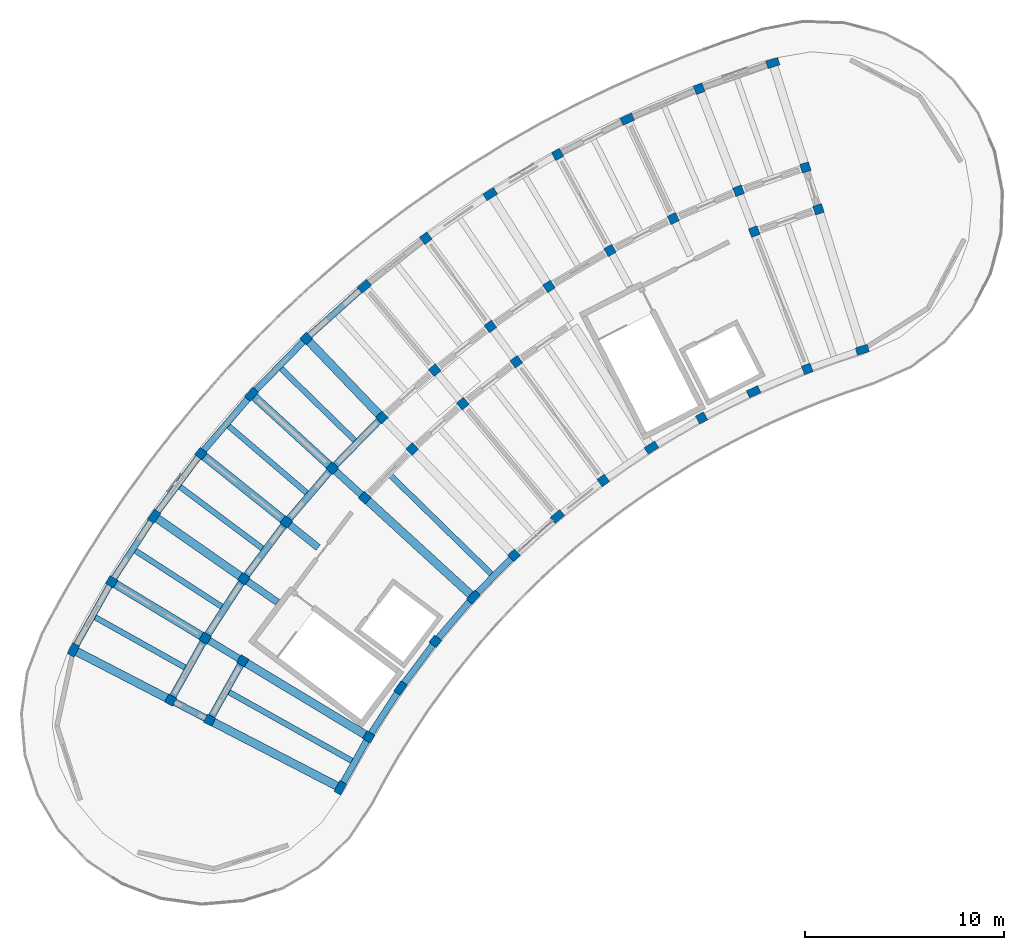
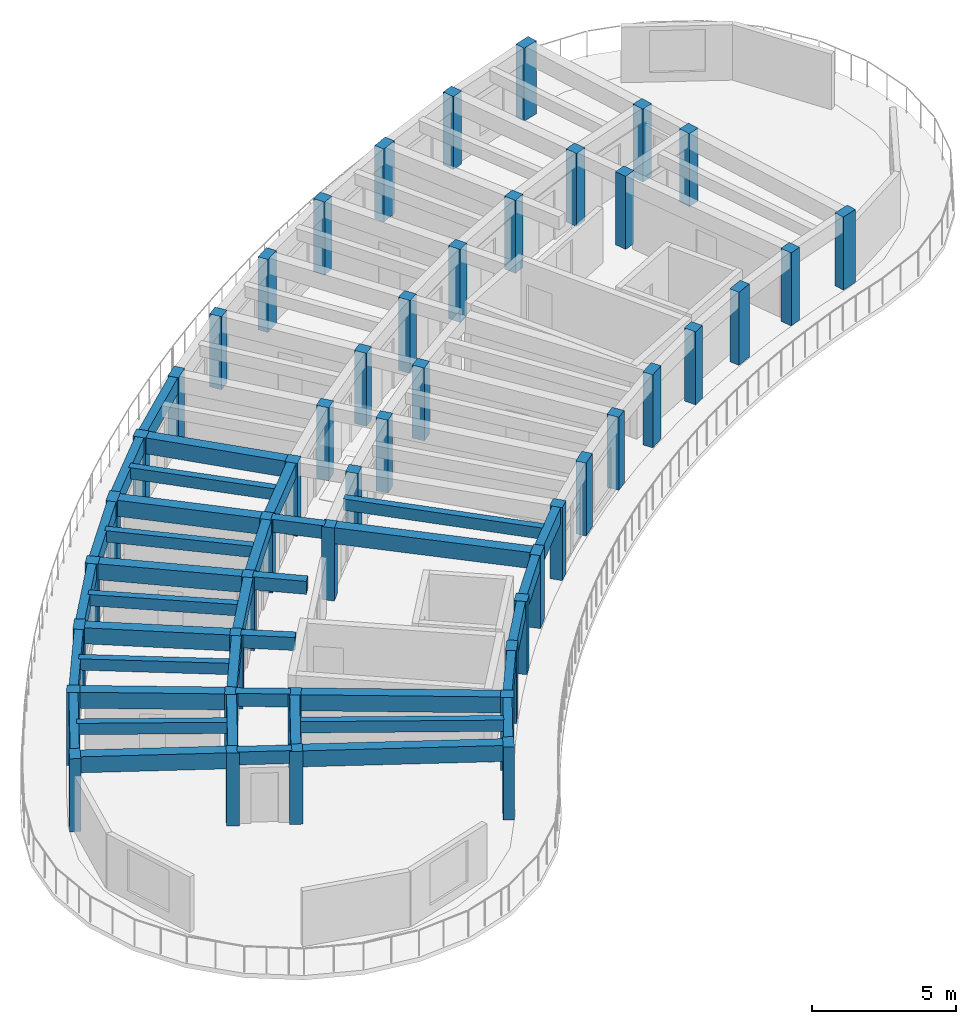
# One storey, part 1 of 9: 47 columns, 38 beams.
"""IFC4 building model written with IfcOpenShell, lengths in metres."""

from ifc_helpers import new_model, si_unit, direction, frame, origin, origin_2d, place, context, subcontext, project, spatial, rectangle, extrude, material, material_profile, profile_set, type_object, element, save


model = new_model("IFC4")

# Units and contexts
model_context = context("Model", 3, precision=1e-05, world=origin(), true_north=direction((0.0, 1.0)))
body_context = subcontext(model_context, "Body", "Model", "MODEL_VIEW")
ifc_project = project(units=[si_unit("LENGTHUNIT", "METRE"), si_unit("AREAUNIT", "SQUARE_METRE"), si_unit("VOLUMEUNIT", "CUBIC_METRE"), si_unit("PLANEANGLEUNIT", "RADIAN"), si_unit("MASSUNIT", "GRAM", prefix="KILO")], contexts=[model_context])

# Site, building, storey
site_placement = place(None, origin())
site = spatial("IfcSite", under=ifc_project, at=site_placement, CompositionType="ELEMENT")
building_placement = place(site_placement, origin())
building = spatial("IfcBuilding", under=site, at=building_placement, Name="Tanwirah Colonnade Gardens", CompositionType="ELEMENT")
storey_placement = place(building_placement, frame((0.0, 0.0, 49.159912109375)))
storey = spatial("IfcBuildingStorey", under=building, at=storey_placement, Name="L14", CompositionType="ELEMENT", Elevation=49.159912109375)

# Columns
ifc_material_1 = material(Name="Precast concrete C40/50", Category="concrete")
ifc_material_profile_1 = material_profile(ifc_material_1, rectangle(XDim=0.4599609375, YDim=0.4599609375, at=origin_2d()), Name="PC-COL 460x460")
ifc_profile_set_1 = profile_set([ifc_material_profile_1], Name="Precast concrete C40/50")
column_type_1 = type_object("IfcColumnType", Name="C-PC400", PredefinedType="COLUMN", material=ifc_profile_set_1)
for number, where, z_axis, x_axis, name in (
    (1, (49.55224609375, 109.6953125, 0.0), (0.0, 0.0, 1.0), (-0.297930292146, 0.954587628781, 0.0), "Block A L14 Column 3-R1"),
    (2, (48.89697265625, 111.79541015625, 0.0), (0.0, 0.0, 1.0), (-0.297930292146, 0.954587628781, 0.0), "Block A L14 Column 3-R2"),
    (3, (48.989990234375, 101.666748046875, 0.0), (0.0, 0.0, 1.0), (-0.360177739278, 0.932883699144, 0.0), "Block A L14 Column 4-R0"),
    (4, (46.32470703125, 108.570068359375, 0.0), (0.0, 0.0, 1.0), (-0.360177739278, 0.932883699144, 0.0), "Block A L14 Column 4-R1"),
    (5, (45.532470703125, 110.622314453125, 0.0), (0.0, 0.0, 1.0), (-0.360177739278, 0.932883699144, 0.0), "Block A L14 Column 4-R2"),
    (6, (43.551513671875, 115.753173828125, 0.0), (0.0, 0.0, 1.0), (-0.360177739278, 0.932883699144, 0.0), "Block A L14 Column 4-R3"),
    (7, (42.25244140625, 109.230224609375, 0.0), (0.0, 0.0, 1.0), (-0.420859924104, 0.907125638643, 0.0), "Block A L14 Column 5-R2"),
    (8, (43.6767578125, 99.20166015625, 0.0), (0.0, 0.0, 1.0), (-0.479713133669, 0.877425386791, 0.0), "Block A L14 Column 6-R0"),
    (9, (39.071533203125, 107.624755859375, 0.0), (0.0, 0.0, 1.0), (-0.479713133669, 0.877425386791, 0.0), "Block A L14 Column 6-R2"),
    (10, (36.43310546875, 112.45068359375, 0.0), (0.0, 0.0, 1.0), (-0.479713133669, 0.877425386791, 0.0), "Block A L14 Column 6-R3"),
    (11, (36.003173828125, 105.8134765625, 0.0), (0.0, 0.0, 1.0), (-0.536481603385, 0.843912015099, 0.0), "Block A L14 Column 7-R2"),
    (12, (38.733642578125, 96.05908203125, 0.0), (0.0, 0.0, 1.0), (-0.590918628541, 0.806731166153, 0.0), "Block A L14 Column 8-R0"),
    (13, (34.36083984375, 102.029052734375, 0.0), (0.0, 0.0, 1.0), (-0.590918628541, 0.806731166153, 0.0), "Block A L14 Column 8-R1"),
    (14, (33.060791015625, 103.8037109375, 0.0), (0.0, 0.0, 1.0), (-0.590918628541, 0.806731166153, 0.0), "Block A L14 Column 8-R2"),
    (15, (29.810791015625, 108.24072265625, 0.0), (0.0, 0.0, 1.0), (-0.590918628541, 0.806731166153, 0.0), "Block A L14 Column 8-R3"),
    (16, (31.67138671875, 99.91943359375, 0.0), (0.0, 0.0, 1.0), (-0.642787636427, 0.766044420681, 0.0), "Block A L14 Column 9-R1"),
    (17, (30.25732421875, 101.604736328125, 0.0), (0.0, 0.0, 1.0), (-0.642787636427, 0.766044420681, 0.0), "Block A L14 Column 9-R2"),
    (18, (34.24658203125, 92.294189453125, 0.0), (0.0, 0.0, 1.0), (-0.691863214436, 0.722028595355, 0.0), "Block A L14 Column 10-R0"),
    (19, (29.126953125, 97.63720703125, 0.0), (0.0, 0.0, 1.0), (-0.691863214436, 0.722028595355, 0.0), "Block A L14 Column 10-R1"),
    (20, (27.604736328125, 99.2255859375, 0.0), (0.0, 0.0, 1.0), (-0.691863214436, 0.722028595355, 0.0), "Block A L14 Column 10-R2"),
    (21, (23.799560546875, 103.19677734375, 0.0), (0.0, 0.0, 1.0), (-0.691863214436, 0.722028595355, 0.0), "Block A L14 Column 10-R3"),
    (22, (26.73828125, 95.1923828125, 0.0), (0.0, 0.0, 1.0), (-0.737932089665, 0.674874974378, 0.0), "Block A L14 Column 11-R1"),
    (23, (25.11474609375, 96.677001953125, 0.0), (0.0, 0.0, 1.0), (-0.737932089665, 0.674874974378, 0.0), "Block A L14 Column 11-R2"),
    (24, (30.293701171875, 87.971923828125, 0.0), (0.0, 0.0, 1.0), (-0.780794055756, 0.624788478204, 0.0), "Block A L14 Column 12-R0"),
    (25, (22.798095703125, 93.9697265625, 0.0), (0.0, 0.0, 1.0), (-0.780794055756, 0.624788478204, 0.0), "Block A L14 Column 12-R2"),
    (26, (18.503662109375, 97.40625, 0.0), (0.0, 0.0, 1.0), (-0.780794055756, 0.624788478204, 0.0), "Block A L14 Column 12-R3"),
    (27, (20.664794921875, 91.115966796875, 0.0), (0.0, 0.0, 1.0), (-0.82026284295, 0.57198677299, 0.0), "Block A L14 Column 13-R2"),
    (28, (26.943359375, 83.167236328125, 0.0), (0.0, 0.0, 1.0), (-0.856166927587, 0.516699324663, 0.0), "Block A L14 Column 14-R0"),
    (29, (20.607666015625, 86.990966796875, 0.0), (0.0, 0.0, 1.0), (-0.856166927587, 0.516699324663, 0.0), "Block A L14 Column 14-R1"),
    (30, (18.72412109375, 88.127685546875, 0.0), (0.0, 0.0, 1.0), (-0.856166927587, 0.516699324663, 0.0), "Block A L14 Column 14-R2"),
    (31, (14.015380859375, 90.969482421875, 0.0), (0.0, 0.0, 1.0), (-0.856166927587, 0.516699324663, 0.0), "Block A L14 Column 14-R3"),
    (32, (18.93896484375, 84.0078125, 0.0), (0.0, 0.0, 1.0), (-0.888350277506, 0.459166401705, 0.0), "Block A L14 Column 15-R1"),
    (33, (16.984619140625, 85.017822265625, 0.0), (0.0, 0.0, 1.0), (-0.888350277506, 0.459166401705, 0.0), "Block A L14 Column 15-R2"),
):
    element("IfcColumn", number, at=place(storey_placement, frame(where, z_axis=z_axis, x_axis=x_axis)), inside=storey, type_object=column_type_1, Name=name, PredefinedType="COLUMN", context=body_context, shape_type="SweptSolid", body=[
        extrude(rectangle(XDim=0.4599609375, YDim=0.4599609375, at=origin_2d()), origin(), (0.0, 0.0, 1.0), 3.10009765625),
    ])
ifc_material_profile_2 = material_profile(ifc_material_1, rectangle(XDim=0.389892578125, YDim=0.6298828125, at=origin_2d()), Name="PC-PIL 390x630")
ifc_profile_set_2 = profile_set([ifc_material_profile_2], Name="Precast concrete C40/50")
column_type_2 = type_object("IfcColumnType", Name="PIL-360", PredefinedType="PILASTER", material=ifc_profile_set_2)
for number, where, z_axis, x_axis, name in (
    (34, (51.757080078125, 102.63134765625, 0.0), (0.0, 0.0, 1.0), (-0.297930292146, 0.954587628781, 0.0), "Block A L14 Column 3-R0"),
    (35, (47.25830078125, 117.045654296875, 0.0), (0.0, 0.0, 1.0), (-0.297930292146, 0.954587628781, 0.0), "Block A L14 Column 3-R3"),
    (36, (46.292724609375, 100.521728515625, 0.0), (0.0, 0.0, 1.0), (-0.420859924104, 0.907125638643, 0.0), "Block A L14 Column 5-R0"),
    (37, (39.937744140625, 114.21923828125, 0.0), (0.0, 0.0, 1.0), (-0.420859924104, 0.907125638643, 0.0), "Block A L14 Column 5-R3"),
    (38, (41.1533203125, 97.7119140625, 0.0), (0.0, 0.0, 1.0), (-0.536481603385, 0.843912015099, 0.0), "Block A L14 Column 7-R0"),
    (39, (33.052490234375, 110.455078125, 0.0), (0.0, 0.0, 1.0), (-0.536481603385, 0.843912015099, 0.0), "Block A L14 Column 7-R3"),
    (40, (36.427978515625, 94.250732421875, 0.0), (0.0, 0.0, 1.0), (-0.642787636427, 0.766044420681, 0.0), "Block A L14 Column 9-R0"),
    (41, (26.721923828125, 105.81787109375, 0.0), (0.0, 0.0, 1.0), (-0.642787636427, 0.766044420681, 0.0), "Block A L14 Column 9-R3"),
    (42, (32.198974609375, 90.1982421875, 0.0), (0.0, 0.0, 1.0), (-0.737932089665, 0.674874974378, 0.0), "Block A L14 Column 11-R0"),
    (43, (21.05615234375, 100.388916015625, 0.0), (0.0, 0.0, 1.0), (-0.737932089665, 0.674874974378, 0.0), "Block A L14 Column 11-R3"),
    (44, (28.539306640625, 85.624755859375, 0.0), (0.0, 0.0, 1.0), (-0.82026284295, 0.57198677299, 0.0), "Block A L14 Column 13-R0"),
    (45, (16.1533203125, 94.26171875, 0.0), (0.0, 0.0, 1.0), (-0.82026284295, 0.57198677299, 0.0), "Block A L14 Column 13-R3"),
    (46, (25.512939453125, 80.60986328125, 0.0), (0.0, 0.0, 1.0), (-0.888350277506, 0.459166401705, 0.0), "Block A L14 Column 15-R0"),
    (47, (12.0986328125, 87.54345703125, 0.0), (0.0, 0.0, 1.0), (-0.888350277506, 0.459166401705, 0.0), "Block A L14 Column 15-R3"),
):
    element("IfcColumn", number, at=place(storey_placement, frame(where, z_axis=z_axis, x_axis=x_axis)), inside=storey, type_object=column_type_2, Name=name, PredefinedType="PILASTER", context=body_context, shape_type="SweptSolid", body=[
        extrude(rectangle(XDim=0.389892578125, YDim=0.6298828125, at=origin_2d()), origin(), (0.0, 0.0, 1.0), 3.10009765625),
    ])

# Beams
ifc_material_profile_3 = material_profile(ifc_material_1, rectangle(XDim=0.35009765625, YDim=0.550048828125, at=origin_2d()), Name="PC-BM 350x550")
ifc_profile_set_3 = profile_set([ifc_material_profile_3], Name="Precast concrete C40/50")
beam_type_1 = type_object("IfcBeamType", Name="BM-PC350A", PredefinedType="BEAM", material=ifc_profile_set_3)
for number, where, z_axis, x_axis, name in (
    (48, (26.62744140625, 95.29345703125, 2.8251953125), (-0.737948361517, 0.674857181732, 0.0), (-0.674857181732, -0.737948361517, 0.0), "Block A L14 Corridor Tie Beam 11"),
    (49, (24.398681640625, 92.68896484375, 2.8251953125), (-0.78073089418, 0.624867402633, 0.0), (-0.624867402633, -0.78073089418, 0.0), "Block A L14 Corridor Tie Beam 12"),
    (50, (22.346435546875, 89.943359375, 2.8251953125), (-0.820305001782, 0.571926309983, 0.0), (-0.571926309983, -0.820305001782, 0.0), "Block A L14 Corridor Tie Beam 13"),
    (51, (20.479248046875, 87.068359375, 2.8251953125), (-0.856174920318, 0.516686080534, 0.0), (-0.516686080534, -0.856174920318, 0.0), "Block A L14 Corridor Tie Beam 14"),
    (52, (18.8056640625, 84.07666015625, 2.8251953125), (-0.888358643941, 0.459150214784, 0.0), (-0.459150214784, -0.888358643941, 0.0), "Block A L14 Corridor Tie Beam 15"),
):
    element("IfcBeam", number, at=place(storey_placement, frame(where, z_axis=z_axis, x_axis=x_axis)), inside=storey, type_object=beam_type_1, Name=name, PredefinedType="BEAM", context=body_context, shape_type="SweptSolid", body=[
        extrude(rectangle(XDim=0.35009765625, YDim=0.550048828125, at=origin_2d()), origin(), (0.0, 0.0, 1.0), 1.89990234375),
    ])
ifc_material_profile_4 = material_profile(ifc_material_1, rectangle(XDim=0.35009765625, YDim=0.60009765625, at=origin_2d()), Name="PC-BM 350x600")
ifc_profile_set_4 = profile_set([ifc_material_profile_4], Name="Precast concrete C40/50")
beam_type_2 = type_object("IfcBeamType", Name="BM-PC350B", PredefinedType="BEAM", material=ifc_profile_set_4)
beam_1_placement = place(storey_placement, frame((27.5, 99.118408203125, 2.800048828125), z_axis=(-0.698829447339, -0.71528833594, 0.0), x_axis=(0.71528833594, -0.698829447339, 0.0)))
element("IfcBeam", 53, at=beam_1_placement, inside=storey, type_object=beam_type_2, Name="Block A L14 Circumferential Beam 10-R2", PredefinedType="BEAM", context=body_context, shape_type="SweptSolid", body=[
    extrude(rectangle(XDim=0.35009765625, YDim=0.60009765625, at=origin_2d()), origin(), (0.0, 0.0, 1.0), 3.263427734375),
])
beam_2_placement = place(storey_placement, frame((25.017333984375, 96.56298828125, 2.800048828125), z_axis=(-0.650218192342, -0.759747525398, 0.0), x_axis=(0.759747525398, -0.650218192342, 0.0)))
element("IfcBeam", 54, at=beam_2_placement, inside=storey, type_object=beam_type_2, Name="Block A L14 Circumferential Beam 11-R2", PredefinedType="BEAM", context=body_context, shape_type="SweptSolid", body=[
    extrude(rectangle(XDim=0.35009765625, YDim=0.60009765625, at=origin_2d()), origin(), (0.0, 0.0, 1.0), 3.26318359375),
])
for number, where, z_axis, x_axis, name in (
    (55, (22.708251953125, 93.849609375, 2.800048828125), (-0.59871829396, -0.800959677186, 0.0), (0.800959677186, -0.59871829396, 0.0), "Block A L14 Circumferential Beam 12-R2"),
    (56, (20.5830078125, 90.989990234375, 2.800048828125), (-0.544627998385, -0.838677735114, 0.0), (0.838677735114, -0.544627998385, 0.0), "Block A L14 Circumferential Beam 13-R2"),
):
    element("IfcBeam", number, at=place(storey_placement, frame(where, z_axis=z_axis, x_axis=x_axis)), inside=storey, type_object=beam_type_2, Name=name, PredefinedType="BEAM", context=body_context, shape_type="SweptSolid", body=[
        extrude(rectangle(XDim=0.35009765625, YDim=0.60009765625, at=origin_2d()), origin(), (0.0, 0.0, 1.0), 3.262939453125),
    ])
beam_3_placement = place(storey_placement, frame((20.534423828125, 86.85986328125, 2.800048828125), z_axis=(-0.488200372352, -0.872731571811, 0.0), x_axis=(0.872731571811, -0.488200372352, 0.0)))
element("IfcBeam", 57, at=beam_3_placement, inside=storey, type_object=beam_type_2, Name="Block A L14 Circumferential Beam 14-R1", PredefinedType="BEAM", context=body_context, shape_type="SweptSolid", body=[
    extrude(rectangle(XDim=0.35009765625, YDim=0.60009765625, at=origin_2d()), origin(), (0.0, 0.0, 1.0), 3.117919921875),
])
beam_4_placement = place(storey_placement, frame((18.65087890625, 87.99658203125, 2.800048828125), z_axis=(-0.488213717102, -0.87272410671, 0.0), x_axis=(0.87272410671, -0.488213717102, 0.0)))
element("IfcBeam", 58, at=beam_4_placement, inside=storey, type_object=beam_type_2, Name="Block A L14 Circumferential Beam 14-R2", PredefinedType="BEAM", context=body_context, shape_type="SweptSolid", body=[
    extrude(rectangle(XDim=0.35009765625, YDim=0.60009765625, at=origin_2d()), origin(), (0.0, 0.0, 1.0), 3.262939453125),
])
ifc_material_2 = material(Name="Precast concrete C45/55", Category="concrete")
ifc_material_profile_5 = material_profile(ifc_material_2, rectangle(XDim=0.419921875, YDim=0.679931640625, at=origin_2d()), Name="PC-BM 420x680")
ifc_profile_set_5 = profile_set([ifc_material_profile_5], Name="Precast concrete C45/55")
beam_type_3 = type_object("IfcBeamType", Name="BM-PC420", PredefinedType="BEAM", material=ifc_profile_set_5)
beam_5_placement = place(storey_placement, frame((27.5009765625, 99.333984375, 2.760009765625), z_axis=(-0.691874769894, 0.722017522491, 0.0), x_axis=(-0.722017522491, -0.691874769894, 0.0)))
element("IfcBeam", 59, at=beam_5_placement, inside=storey, type_object=beam_type_3, Name="Block A L14 Outer Radial Precast Girder 10", PredefinedType="BEAM", context=body_context, shape_type="SweptSolid", body=[
    extrude(rectangle(XDim=0.419921875, YDim=0.679931640625, at=origin_2d()), origin(), (0.0, 0.0, 1.0), 5.199951171875),
])
beam_6_placement = place(storey_placement, frame((26.848876953125, 95.091064453125, 2.760009765625), z_axis=(0.737918718777, -0.674889594288, 0.0), x_axis=(0.674889594288, 0.737918718777, 0.0)))
element("IfcBeam", 60, at=beam_6_placement, inside=storey, type_object=beam_type_3, Name="Block A L14 Inner Radial Precast Girder 11", PredefinedType="BEAM", context=body_context, shape_type="SweptSolid", body=[
    extrude(rectangle(XDim=0.419921875, YDim=0.679931640625, at=origin_2d()), origin(), (0.0, 0.0, 1.0), 7.10009765625),
])
for number, where, z_axis, x_axis, name in (
    (61, (25.004150390625, 96.7783203125, 2.760009765625), (-0.737952652624, 0.674852489427, 0.0), (-0.674852489427, -0.737952652624, 0.0), "Block A L14 Outer Radial Precast Girder 11"),
    (62, (22.680908203125, 94.0634765625, 2.760009765625), (-0.780777191444, 0.62480955284, 0.0), (-0.62480955284, -0.780777191444, 0.0), "Block A L14 Outer Radial Precast Girder 12"),
    (63, (20.541748046875, 91.20166015625, 2.760009765625), (-0.82026065953, 0.57198990413, 0.0), (-0.57198990413, -0.82026065953, 0.0), "Block A L14 Outer Radial Precast Girder 13"),
):
    element("IfcBeam", number, at=place(storey_placement, frame(where, z_axis=z_axis, x_axis=x_axis)), inside=storey, type_object=beam_type_3, Name=name, PredefinedType="BEAM", context=body_context, shape_type="SweptSolid", body=[
        extrude(rectangle(XDim=0.419921875, YDim=0.679931640625, at=origin_2d()), origin(), (0.0, 0.0, 1.0), 5.199951171875),
    ])
beam_7_placement = place(storey_placement, frame((20.736083984375, 86.913330078125, 2.760009765625), z_axis=(0.856176383701, -0.516683655628, 0.0), x_axis=(0.516683655628, 0.856176383701, 0.0)))
element("IfcBeam", 64, at=beam_7_placement, inside=storey, type_object=beam_type_3, Name="Block A L14 Inner Radial Precast Girder 14", PredefinedType="BEAM", context=body_context, shape_type="SweptSolid", body=[
    extrude(rectangle(XDim=0.419921875, YDim=0.679931640625, at=origin_2d()), origin(), (0.0, 0.0, 1.0), 7.10009765625),
])
beam_8_placement = place(storey_placement, frame((18.595703125, 88.205078125, 2.760009765625), z_axis=(-0.856164383855, 0.516703539584, 0.0), x_axis=(-0.516703539584, -0.856164383855, 0.0)))
element("IfcBeam", 65, at=beam_8_placement, inside=storey, type_object=beam_type_3, Name="Block A L14 Outer Radial Precast Girder 14", PredefinedType="BEAM", context=body_context, shape_type="SweptSolid", body=[
    extrude(rectangle(XDim=0.419921875, YDim=0.679931640625, at=origin_2d()), origin(), (0.0, 0.0, 1.0), 5.19970703125),
])
beam_9_placement = place(storey_placement, frame((19.072265625, 83.93896484375, 2.760009765625), z_axis=(0.888342925962, -0.459180624475, 0.0), x_axis=(0.459180624475, 0.888342925962, 0.0)))
element("IfcBeam", 66, at=beam_9_placement, inside=storey, type_object=beam_type_3, Name="Block A L14 Inner Radial Precast Girder 15", PredefinedType="BEAM", context=body_context, shape_type="SweptSolid", body=[
    extrude(rectangle(XDim=0.419921875, YDim=0.679931640625, at=origin_2d()), origin(), (0.0, 0.0, 1.0), 7.10009765625),
])
beam_10_placement = place(storey_placement, frame((16.851318359375, 85.0869140625, 2.760009765625), z_axis=(-0.888365586169, 0.459136782789, 0.0), x_axis=(-0.459136782789, -0.888365586169, 0.0)))
element("IfcBeam", 67, at=beam_10_placement, inside=storey, type_object=beam_type_3, Name="Block A L14 Outer Radial Precast Girder 15", PredefinedType="BEAM", context=body_context, shape_type="SweptSolid", body=[
    extrude(rectangle(XDim=0.419921875, YDim=0.679931640625, at=origin_2d()), origin(), (0.0, 0.0, 1.0), 5.199951171875),
])
ifc_material_profile_6 = material_profile(ifc_material_1, rectangle(XDim=0.280029296875, YDim=0.47998046875, at=origin_2d()), Name="PC-JST 280x480")
ifc_profile_set_6 = profile_set([ifc_material_profile_6], Name="Precast concrete C40/50")
beam_type_4 = type_object("IfcBeamType", Name="JST-PC280", PredefinedType="JOIST", material=ifc_profile_set_6)
beam_11_placement = place(storey_placement, frame((26.2529296875, 98.0556640625, 2.860107421875), z_axis=(-0.715297399369, 0.698820170327, 0.0), x_axis=(-0.698820170327, -0.715297399369, 0.0)))
element("IfcBeam", 68, at=beam_11_placement, inside=storey, type_object=beam_type_4, Name="Block A L14 Precast Floor Joist 10", PredefinedType="JOIST", context=body_context, shape_type="SweptSolid", body=[
    extrude(rectangle(XDim=0.280029296875, YDim=0.47998046875, at=origin_2d()), origin(), (0.0, 0.0, 1.0), 5.260009765625),
])
beam_12_placement = place(storey_placement, frame((33.11962890625, 91.346923828125, 2.860107421875), z_axis=(-0.715276680509, 0.698841377081, 0.0), x_axis=(-0.698841377081, -0.715276680509, 0.0)))
element("IfcBeam", 69, at=beam_12_placement, inside=storey, type_object=beam_type_4, Name="Block A L14 Inner Precast Floor Joist 10", PredefinedType="JOIST", context=body_context, shape_type="SweptSolid", body=[
    extrude(rectangle(XDim=0.280029296875, YDim=0.47998046875, at=origin_2d()), origin(), (0.0, 0.0, 1.0), 7.159912109375),
])
beam_13_placement = place(storey_placement, frame((23.843017578125, 95.42041015625, 2.860107421875), z_axis=(-0.759770723643, 0.65019108537, 0.0), x_axis=(-0.65019108537, -0.759770723643, 0.0)))
element("IfcBeam", 70, at=beam_13_placement, inside=storey, type_object=beam_type_4, Name="Block A L14 Precast Floor Joist 11", PredefinedType="JOIST", context=body_context, shape_type="SweptSolid", body=[
    extrude(rectangle(XDim=0.280029296875, YDim=0.47998046875, at=origin_2d()), origin(), (0.0, 0.0, 1.0), 5.26025390625),
])
beam_14_placement = place(storey_placement, frame((21.61181640625, 92.63232421875, 2.860107421875), z_axis=(-0.800973647215, 0.598699604533, 0.0), x_axis=(-0.598699604533, -0.800973647215, 0.0)))
element("IfcBeam", 71, at=beam_14_placement, inside=storey, type_object=beam_type_4, Name="Block A L14 Precast Floor Joist 12", PredefinedType="JOIST", context=body_context, shape_type="SweptSolid", body=[
    extrude(rectangle(XDim=0.280029296875, YDim=0.47998046875, at=origin_2d()), origin(), (0.0, 0.0, 1.0), 5.260009765625),
])
beam_15_placement = place(storey_placement, frame((19.5693359375, 89.703125, 2.860107421875), z_axis=(-0.83868742622, 0.544613074669, 0.0), x_axis=(-0.544613074669, -0.83868742622, 0.0)))
element("IfcBeam", 72, at=beam_15_placement, inside=storey, type_object=beam_type_4, Name="Block A L14 Precast Floor Joist 13", PredefinedType="JOIST", context=body_context, shape_type="SweptSolid", body=[
    extrude(rectangle(XDim=0.280029296875, YDim=0.47998046875, at=origin_2d()), origin(), (0.0, 0.0, 1.0), 5.26025390625),
])
beam_16_placement = place(storey_placement, frame((17.72412109375, 86.645751953125, 2.860107421875), z_axis=(-0.872737031138, 0.488190612855, 0.0), x_axis=(-0.488190612855, -0.872737031138, 0.0)))
element("IfcBeam", 73, at=beam_16_placement, inside=storey, type_object=beam_type_4, Name="Block A L14 Precast Floor Joist 14", PredefinedType="JOIST", context=body_context, shape_type="SweptSolid", body=[
    extrude(rectangle(XDim=0.280029296875, YDim=0.47998046875, at=origin_2d()), origin(), (0.0, 0.0, 1.0), 5.260009765625),
])
beam_17_placement = place(storey_placement, frame((26.102294921875, 81.958984375, 2.860107421875), z_axis=(-0.872726875563, 0.488208767506, 0.0), x_axis=(-0.488208767506, -0.872726875563, 0.0)))
element("IfcBeam", 74, at=beam_17_placement, inside=storey, type_object=beam_type_4, Name="Block A L14 Inner Precast Floor Joist 14", PredefinedType="JOIST", context=body_context, shape_type="SweptSolid", body=[
    extrude(rectangle(XDim=0.280029296875, YDim=0.47998046875, at=origin_2d()), origin(), (0.0, 0.0, 1.0), 7.16015625),
])
ifc_material_profile_7 = material_profile(ifc_material_2, rectangle(XDim=0.320068359375, YDim=0.679931640625, at=origin_2d()), Name="PC-SP 320x680")
ifc_profile_set_7 = profile_set([ifc_material_profile_7], Name="Precast concrete C45/55")
beam_type_5 = type_object("IfcBeamType", Name="SP-PC320", PredefinedType="SPANDREL", material=ifc_profile_set_7)
beam_18_placement = place(storey_placement, frame((26.6103515625, 105.7177734375, 2.760009765625), z_axis=(-0.744444790955, -0.667684021989, 0.0), x_axis=(0.667684021989, -0.744444790955, 0.0)))
element("IfcBeam", 75, at=beam_18_placement, inside=storey, type_object=beam_type_5, Name="Block A L14 Circumferential Beam 9-R3", PredefinedType="SPANDREL", context=body_context, shape_type="SweptSolid", body=[
    extrude(rectangle(XDim=0.320068359375, YDim=0.679931640625, at=origin_2d()), origin(), (0.0, 0.0, 1.0), 3.625732421875),
])
beam_19_placement = place(storey_placement, frame((34.141845703125, 92.186767578125, 2.760009765625), z_axis=(-0.698844462704, -0.715273665772, 0.0), x_axis=(0.715273665772, -0.698844462704, 0.0)))
element("IfcBeam", 76, at=beam_19_placement, inside=storey, type_object=beam_type_5, Name="Block A L14 Circumferential Beam 10-R0", PredefinedType="SPANDREL", context=body_context, shape_type="SweptSolid", body=[
    extrude(rectangle(XDim=0.320068359375, YDim=0.679931640625, at=origin_2d()), origin(), (0.0, 0.0, 1.0), 2.630126953125),
])
beam_20_placement = place(storey_placement, frame((23.69482421875, 103.089599609375, 2.760009765625), z_axis=(-0.698844493997, -0.715273635199, 0.0), x_axis=(0.715273635199, -0.698844493997, 0.0)))
element("IfcBeam", 77, at=beam_20_placement, inside=storey, type_object=beam_type_5, Name="Block A L14 Circumferential Beam 10-R3", PredefinedType="SPANDREL", context=body_context, shape_type="SweptSolid", body=[
    extrude(rectangle(XDim=0.320068359375, YDim=0.679931640625, at=origin_2d()), origin(), (0.0, 0.0, 1.0), 3.6259765625),
])
beam_21_placement = place(storey_placement, frame((32.101318359375, 90.084228515625, 2.760009765625), z_axis=(-0.650172023628, -0.759787035749, 0.0), x_axis=(0.759787035749, -0.650172023628, 0.0)))
element("IfcBeam", 78, at=beam_21_placement, inside=storey, type_object=beam_type_5, Name="Block A L14 Circumferential Beam 11-R0", PredefinedType="SPANDREL", context=body_context, shape_type="SweptSolid", body=[
    extrude(rectangle(XDim=0.320068359375, YDim=0.679931640625, at=origin_2d()), origin(), (0.0, 0.0, 1.0), 2.63037109375),
])
beam_22_placement = place(storey_placement, frame((20.95849609375, 100.27490234375, 2.760009765625), z_axis=(-0.65013123267, -0.75982193987, 0.0), x_axis=(0.75982193987, -0.65013123267, 0.0)))
element("IfcBeam", 79, at=beam_22_placement, inside=storey, type_object=beam_type_5, Name="Block A L14 Circumferential Beam 11-R3", PredefinedType="SPANDREL", context=body_context, shape_type="SweptSolid", body=[
    extrude(rectangle(XDim=0.320068359375, YDim=0.679931640625, at=origin_2d()), origin(), (0.0, 0.0, 1.0), 3.625732421875),
])
beam_23_placement = place(storey_placement, frame((30.203857421875, 87.851806640625, 2.760009765625), z_axis=(-0.598662613551, -0.80100129534, 0.0), x_axis=(0.80100129534, -0.598662613551, 0.0)))
element("IfcBeam", 80, at=beam_23_placement, inside=storey, type_object=beam_type_5, Name="Block A L14 Circumferential Beam 12-R0", PredefinedType="SPANDREL", context=body_context, shape_type="SweptSolid", body=[
    extrude(rectangle(XDim=0.320068359375, YDim=0.679931640625, at=origin_2d()), origin(), (0.0, 0.0, 1.0), 2.63037109375),
])
beam_24_placement = place(storey_placement, frame((18.413818359375, 97.285888671875, 2.760009765625), z_axis=(-0.598695554058, -0.800976674786, 0.0), x_axis=(0.800976674786, -0.598695554058, 0.0)))
element("IfcBeam", 81, at=beam_24_placement, inside=storey, type_object=beam_type_5, Name="Block A L14 Circumferential Beam 12-R3", PredefinedType="SPANDREL", context=body_context, shape_type="SweptSolid", body=[
    extrude(rectangle(XDim=0.320068359375, YDim=0.679931640625, at=origin_2d()), origin(), (0.0, 0.0, 1.0), 3.625732421875),
])
beam_25_placement = place(storey_placement, frame((28.45751953125, 85.4990234375, 2.760009765625), z_axis=(-0.544570677829, -0.838714955661, 0.0), x_axis=(0.838714955661, -0.544570677829, 0.0)))
element("IfcBeam", 82, at=beam_25_placement, inside=storey, type_object=beam_type_5, Name="Block A L14 Circumferential Beam 13-R0", PredefinedType="SPANDREL", context=body_context, shape_type="SweptSolid", body=[
    extrude(rectangle(XDim=0.320068359375, YDim=0.679931640625, at=origin_2d()), origin(), (0.0, 0.0, 1.0), 2.63037109375),
])
beam_26_placement = place(storey_placement, frame((16.071533203125, 94.135986328125, 2.760009765625), z_axis=(-0.544621436184, -0.838681996497, 0.0), x_axis=(0.838681996497, -0.544621436184, 0.0)))
element("IfcBeam", 83, at=beam_26_placement, inside=storey, type_object=beam_type_5, Name="Block A L14 Circumferential Beam 13-R3", PredefinedType="SPANDREL", context=body_context, shape_type="SweptSolid", body=[
    extrude(rectangle(XDim=0.320068359375, YDim=0.679931640625, at=origin_2d()), origin(), (0.0, 0.0, 1.0), 3.625732421875),
])
beam_27_placement = place(storey_placement, frame((26.8701171875, 83.036376953125, 2.760009765625), z_axis=(-0.488170837957, -0.872748092503, 0.0), x_axis=(0.872748092503, -0.488170837957, 0.0)))
element("IfcBeam", 84, at=beam_27_placement, inside=storey, type_object=beam_type_5, Name="Block A L14 Circumferential Beam 14-R0", PredefinedType="SPANDREL", context=body_context, shape_type="SweptSolid", body=[
    extrude(rectangle(XDim=0.320068359375, YDim=0.679931640625, at=origin_2d()), origin(), (0.0, 0.0, 1.0), 2.630126953125),
])
beam_28_placement = place(storey_placement, frame((13.942138671875, 90.838623046875, 2.760009765625), z_axis=(-0.488236312193, -0.872711466326, 0.0), x_axis=(0.872711466326, -0.488236312193, 0.0)))
element("IfcBeam", 85, at=beam_28_placement, inside=storey, type_object=beam_type_5, Name="Block A L14 Circumferential Beam 14-R3", PredefinedType="SPANDREL", context=body_context, shape_type="SweptSolid", body=[
    extrude(rectangle(XDim=0.320068359375, YDim=0.679931640625, at=origin_2d()), origin(), (0.0, 0.0, 1.0), 3.625732421875),
])

save(model, "model.ifc")
